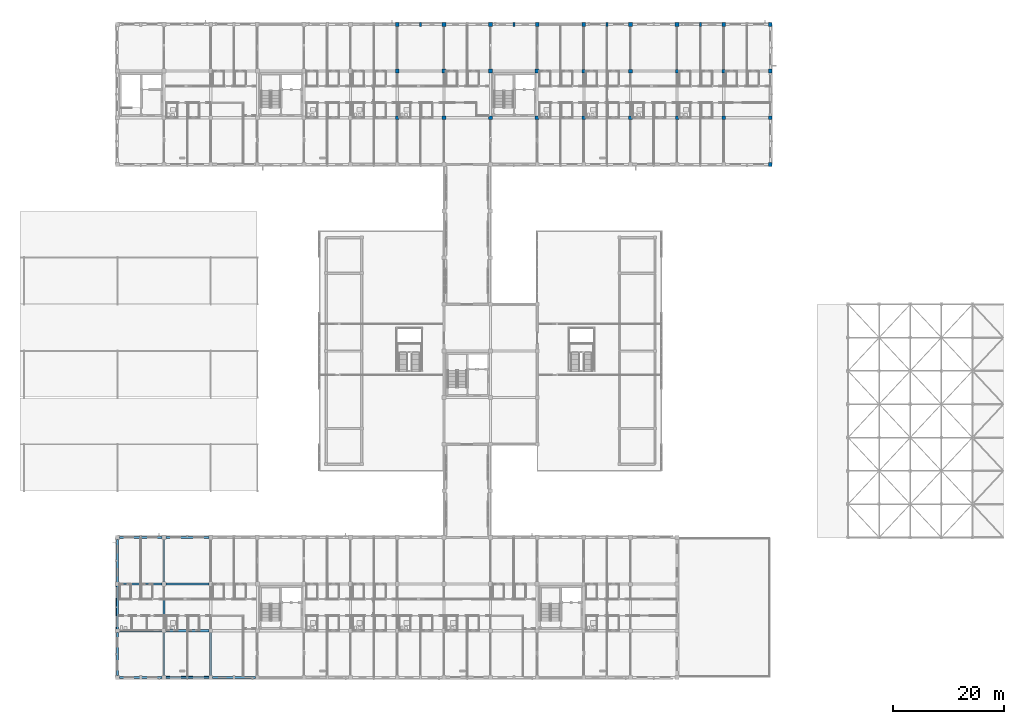
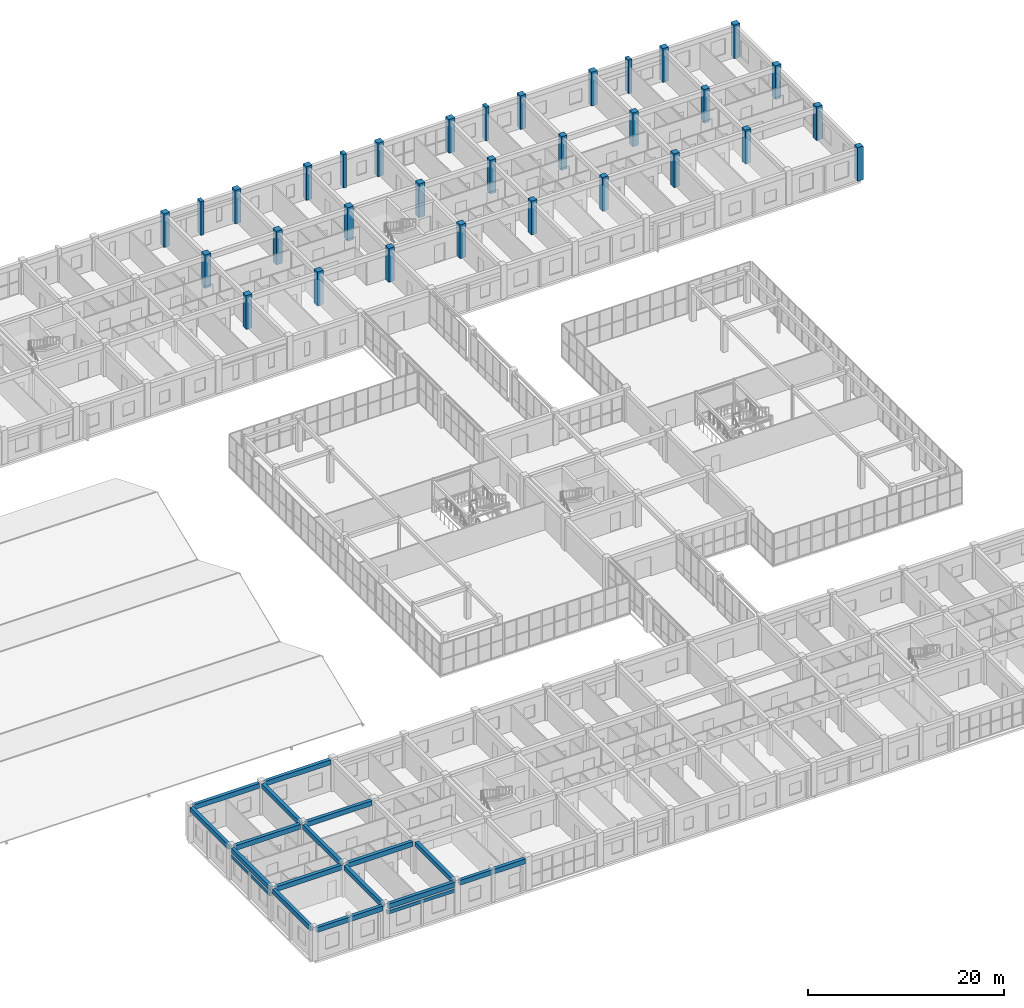
# One storey, part 11 of 140: 32 columns, 18 beams.
"""IFC4 building model written with IfcOpenShell, lengths in metres."""

import ifcopenshell
import ifcopenshell.guid

model = None  # the IFC model being written
_history = None  # IfcOwnerHistory: only IFC2X3 demands one
_inside = {}  # id of a spatial element -> (the spatial element, [elements in it])
_under = {}  # id of a project, library or spatial element -> (it, [spatial elements below it])
_declared = {}  # id of a project -> (the project, [libraries it declares])
_typed = {}  # id of a type object -> (the type object, [elements of that type])
_made_of = {}  # id of a material, layer set ... -> (it, [elements and type objects made of it])


def new_model(schema):
    """Start an empty IFC model of exactly this schema.

    Asked for "IFC4X3", IfcOpenShell would pick the latest addendum, in which some entities
    have other attributes; the version numbers below select the first issue.
    IFC2X3 requires an IfcOwnerHistory on every rooted entity: one is made here for all.
    """
    global model, _history
    if schema == "IFC4X3":
        model = ifcopenshell.file(schema_version=(4, 3, 0, 0))
    else:
        model = ifcopenshell.file(schema=schema)
    _inside.clear()
    _under.clear()
    _declared.clear()
    _typed.clear()
    _made_of.clear()
    _history = None
    if model.schema == "IFC2X3":
        org = make("IfcOrganization", Name="unknown")
        user = make(
            "IfcPersonAndOrganization",
            ThePerson=make("IfcPerson", FamilyName="unknown"),
            TheOrganization=org,
        )
        app = make(
            "IfcApplication",
            ApplicationDeveloper=org,
            Version="unknown",
            ApplicationFullName="unknown",
            ApplicationIdentifier="unknown",
        )
        _history = make(
            "IfcOwnerHistory",
            OwningUser=user,
            OwningApplication=app,
            ChangeAction="ADDED",
            CreationDate=0,
        )
    return model


def make(cls, **values):
    """One entity of the class cls with the attributes given. An attribute that is None is left unset."""
    return model.create_entity(
        cls, **{name: value for name, value in values.items() if value is not None}
    )


def rooted(cls, **values):
    """An entity with a GlobalId (a new one), such as an element, a storey or a relation."""
    return make(cls, GlobalId=ifcopenshell.guid.new(), OwnerHistory=_history, **values)


def si_unit(unit_type, name, prefix=None):
    """IfcSIUnit, for example si_unit("LENGTHUNIT", "METRE", prefix="MILLI")."""
    return make("IfcSIUnit", UnitType=unit_type, Prefix=prefix, Name=name)


def assignment(units):
    """IfcUnitAssignment: the units of a project."""
    return None if units is None else make("IfcUnitAssignment", Units=units)


def point(xyz):
    """IfcCartesianPoint."""
    return None if xyz is None else make("IfcCartesianPoint", Coordinates=xyz)


def direction(xyz):
    """IfcDirection."""
    return None if xyz is None else make("IfcDirection", DirectionRatios=xyz)


def frame(location, z_axis=None, x_axis=None):
    """IfcAxis2Placement3D, a coordinate frame: its origin and axes. An axis left out is left unset."""
    return make(
        "IfcAxis2Placement3D",
        Location=point(location),
        Axis=direction(z_axis),
        RefDirection=direction(x_axis),
    )


def frame_2d(location, x_axis=None):
    """IfcAxis2Placement2D, a coordinate frame in the plane: its origin and x axis."""
    return make(
        "IfcAxis2Placement2D", Location=point(location), RefDirection=direction(x_axis)
    )


def origin():
    """The frame at (0, 0, 0) with its axes left unset."""
    return frame((0.0, 0.0, 0.0))


def origin_2d():
    """The frame at (0, 0) in the plane with its x axis left unset."""
    return frame_2d((0.0, 0.0))


def place(relative_to, where):
    """IfcLocalPlacement: puts the frame where relative to a parent placement (None: the world)."""
    return make(
        "IfcLocalPlacement", PlacementRelTo=relative_to, RelativePlacement=where
    )


def context(
    kind, dimensions, precision=None, world=None, true_north=None, identifier=None
):
    """IfcGeometricRepresentationContext, for example the 3D "Model" context."""
    return make(
        "IfcGeometricRepresentationContext",
        ContextIdentifier=identifier,
        ContextType=kind,
        CoordinateSpaceDimension=dimensions,
        Precision=precision,
        WorldCoordinateSystem=world,
        TrueNorth=true_north,
    )


def subcontext(parent, identifier, kind, view, scale=None):
    """IfcGeometricRepresentationSubContext, for example "Body" below "Model"."""
    return make(
        "IfcGeometricRepresentationSubContext",
        ContextIdentifier=identifier,
        ContextType=kind,
        ParentContext=parent,
        TargetScale=scale,
        TargetView=view,
    )


def project(units=None, contexts=None):
    """IfcProject with its units and contexts."""
    return rooted(
        "IfcProject",
        Name="project",
        RepresentationContexts=contexts,
        UnitsInContext=assignment(units),
    )


def spatial(cls, under=None, at=None, **own):
    """A site, building, storey or space (cls), placed at a placement, below another one or the project."""
    s = rooted(cls, ObjectPlacement=at, **own)
    if under is not None:
        _under.setdefault(under.id(), (under, []))[1].append(s)
    return s


def profile(cls, at=None, kind="AREA", **sizes):
    """A parametric profile (cls). Its sizes go by their IFC names, for example OverallWidth=200.0."""
    return make(cls, ProfileType=kind, Position=at, **sizes)


def rectangle(**sizes):
    """IfcRectangleProfileDef."""
    return profile("IfcRectangleProfileDef", **sizes)


def extrude(swept, where, along, depth):
    """IfcExtrudedAreaSolid: the profile swept, set in the frame where, extruded along a direction by depth."""
    return make(
        "IfcExtrudedAreaSolid",
        SweptArea=swept,
        Position=where,
        ExtrudedDirection=direction(along),
        Depth=depth,
    )


def shape(context_of_items, identifier, shape_type, items):
    """IfcShapeRepresentation: the items that make up one representation, for example the "Body"."""
    return make(
        "IfcShapeRepresentation",
        ContextOfItems=context_of_items,
        RepresentationIdentifier=identifier,
        RepresentationType=shape_type,
        Items=items,
    )


def material(Name=None, Category=None):
    """IfcMaterial."""
    return make("IfcMaterial", Name=Name, Category=Category)


def material_profile(
    of_material, cross_section, Name=None, Category=None, Priority=None
):
    """IfcMaterialProfile: a cross section and its material."""
    return make(
        "IfcMaterialProfile",
        Name=Name,
        Material=of_material,
        Profile=cross_section,
        Priority=Priority,
        Category=Category,
    )


def profile_set(profiles, Name=None, composite=None):
    """IfcMaterialProfileSet."""
    return make(
        "IfcMaterialProfileSet",
        Name=Name,
        MaterialProfiles=profiles,
        CompositeProfile=composite,
    )


def made_of(thing, what):
    """Note that an element or type object is made of a material, layer set ...; save() writes the relation."""
    if what is not None:
        _made_of.setdefault(what.id(), (what, []))[1].append(thing)
    return thing


def type_object(cls, material=None, **own):
    """A type object (cls), such as IfcWallType, which elements share."""
    return made_of(rooted(cls, **own), material)


def element(
    cls,
    number,
    at=None,
    inside=None,
    cuts=None,
    type_object=None,
    material=None,
    context=None,
    identifier="Body",
    shape_type=None,
    held_by="IfcProductDefinitionShape",
    body=None,
    shapes=None,
    **own,
):
    """One element of the class cls, such as IfcWall. Its Tag is "e" and its number.

    at: its placement. inside: the storey or other place that contains it. cuts: it is an
    opening in that element (IfcRelVoidsElement). A single representation is given by context,
    identifier, shape_type and body (its items); several are given by shapes. held_by: the class
    of the entity that holds the representations. save() writes the other relations.
    """
    e = rooted(cls, Tag="e%d" % number, ObjectPlacement=at, **own)
    if body is not None:
        shapes = [shape(context, identifier, shape_type, body)]
    if shapes is not None:
        e.Representation = make(held_by, Representations=shapes)
    if inside is not None:
        _inside.setdefault(inside.id(), (inside, []))[1].append(e)
    if cuts is not None:
        rooted(
            "IfcRelVoidsElement", RelatingBuildingElement=cuts, RelatedOpeningElement=e
        )
    if type_object is not None:
        _typed.setdefault(type_object.id(), (type_object, []))[1].append(e)
    return made_of(e, material)


def aggregate(whole, parts):
    """IfcRelAggregates: a whole, such as a stair, and the parts it consists of."""
    return rooted("IfcRelAggregates", RelatingObject=whole, RelatedObjects=parts)


def save(model, path):
    """Write the relations noted so far, then the file.

    IfcRelAggregates (storeys below a building ...), IfcRelContainedInSpatialStructure (elements
    in a storey), IfcRelDefinesByType, IfcRelAssociatesMaterial and IfcRelDeclares: one each for
    every whole, place, type object, material and project.
    """
    for whole, parts in _under.values():
        aggregate(whole, parts)
    for where, things in _inside.values():
        rooted(
            "IfcRelContainedInSpatialStructure",
            RelatedElements=things,
            RelatingStructure=where,
        )
    for kind, things in _typed.values():
        rooted("IfcRelDefinesByType", RelatedObjects=things, RelatingType=kind)
    for what, things in _made_of.values():
        rooted("IfcRelAssociatesMaterial", RelatedObjects=things, RelatingMaterial=what)
    for by, libraries in _declared.values():
        rooted("IfcRelDeclares", RelatingContext=by, RelatedDefinitions=libraries)
    model.write(path)


model = new_model("IFC4")

# Units and contexts
model_context = context("Model", 3, precision=1e-05, world=origin(), true_north=direction((0.0, 1.0)))
body_context = subcontext(model_context, "Body", "Model", "MODEL_VIEW")
ifc_project = project(units=[si_unit("LENGTHUNIT", "METRE"), si_unit("AREAUNIT", "SQUARE_METRE"), si_unit("VOLUMEUNIT", "CUBIC_METRE"), si_unit("PLANEANGLEUNIT", "RADIAN"), si_unit("MASSUNIT", "GRAM", prefix="KILO")], contexts=[model_context])

# Site, building, storey
site_placement = place(None, origin())
site = spatial("IfcSite", under=ifc_project, at=site_placement, CompositionType="ELEMENT")
building_placement = place(site_placement, origin())
building = spatial("IfcBuilding", under=site, at=building_placement, Name="Trelvath General Hospital", CompositionType="ELEMENT")
storey_placement = place(building_placement, frame((0.0, 0.0, 16.199951171875)))
storey = spatial("IfcBuildingStorey", under=building, at=storey_placement, Name="L04", CompositionType="ELEMENT", Elevation=16.199951171875)

# Columns
ifc_material_1 = material(Name="Concrete C40/50", Category="concrete")
ifc_material_profile_1 = material_profile(ifc_material_1, rectangle(XDim=0.659912109375, YDim=0.659912109375, at=origin_2d()), Name="RC660x660")
ifc_profile_set_1 = profile_set([ifc_material_profile_1], Name="Concrete C40/50")
column_type_1 = type_object("IfcColumnType", Name="Column RC660", PredefinedType="COLUMN", material=ifc_profile_set_1)
for number, where, z_axis, x_axis, name in (
    (1, (100.800048828125, 100.800048828125, 0.0), (0.0, 0.0, 1.0), (1.0, 0.0, 0.0), "Column C-13M L04"),
    (2, (100.800048828125, 109.199951171875, 0.0), (0.0, 0.0, 1.0), (1.0, 0.0, 0.0), "Column C-13N L04"),
    (3, (109.199951171875, 100.800048828125, 0.0), (0.0, 0.0, 1.0), (1.0, 0.0, 0.0), "Column C-14M L04"),
    (4, (109.199951171875, 109.199951171875, 0.0), (0.0, 0.0, 1.0), (1.0, 0.0, 0.0), "Column C-14N L04"),
    (5, (117.60009765625, 100.800048828125, 0.0), (0.0, 0.0, 1.0), (1.0, 0.0, 0.0), "Column C-15M L04"),
    (6, (117.60009765625, 109.199951171875, 0.0), (0.0, 0.0, 1.0), (1.0, 0.0, 0.0), "Column C-15N L04"),
    (7, (126.0, 100.800048828125, 0.0), (0.0, 0.0, 1.0), (1.0, 0.0, 0.0), "Column C-16M L04"),
    (8, (126.0, 109.199951171875, 0.0), (0.0, 0.0, 1.0), (1.0, 0.0, 0.0), "Column C-16N L04"),
):
    element("IfcColumn", number, at=place(storey_placement, frame(where, z_axis=z_axis, x_axis=x_axis)), inside=storey, type_object=column_type_1, Name=name, PredefinedType="COLUMN", context=body_context, shape_type="SweptSolid", body=[
        extrude(rectangle(XDim=0.659912109375, YDim=0.659912109375, at=origin_2d()), origin(), (0.0, 0.0, 1.0), 4.199951171875),
    ])
ifc_material_2 = material(Name="Concrete C40/50", Category="concrete")
ifc_material_profile_2 = material_profile(ifc_material_2, rectangle(XDim=0.679931640625, YDim=0.679931640625, at=origin_2d()), Name="RC680x680")
ifc_profile_set_2 = profile_set([ifc_material_profile_2], Name="Concrete C40/50")
column_type_2 = type_object("IfcColumnType", Name="Column RC680", PredefinedType="COLUMN", material=ifc_profile_set_2)
for number, where, z_axis, x_axis, name in (
    (9, (67.199951171875, 117.60009765625, 0.0), (0.0, 0.0, 1.0), (1.0, 0.0, 0.0), "Column C-9O L04"),
    (10, (75.60009765625, 117.60009765625, 0.0), (0.0, 0.0, 1.0), (1.0, 0.0, 0.0), "Column C-10O L04"),
    (11, (84.0, 117.60009765625, 0.0), (0.0, 0.0, 1.0), (1.0, 0.0, 0.0), "Column C-11O L04"),
    (12, (92.39990234375, 117.60009765625, 0.0), (0.0, 0.0, 1.0), (1.0, 0.0, 0.0), "Column C-12O L04"),
    (13, (100.800048828125, 117.60009765625, 0.0), (0.0, 0.0, 1.0), (1.0, 0.0, 0.0), "Column C-13O L04"),
    (14, (109.199951171875, 117.60009765625, 0.0), (0.0, 0.0, 1.0), (1.0, 0.0, 0.0), "Column C-14O L04"),
    (15, (117.60009765625, 117.60009765625, 0.0), (0.0, 0.0, 1.0), (1.0, 0.0, 0.0), "Column C-15O L04"),
    (16, (126.0, 117.60009765625, 0.0), (0.0, 0.0, 1.0), (1.0, 0.0, 0.0), "Column C-16O L04"),
    (17, (134.39990234375, 92.39990234375, 0.0), (0.0, 0.0, 1.0), (1.0, 0.0, 0.0), "Column C-17L L04"),
    (18, (134.39990234375, 100.800048828125, 0.0), (0.0, 0.0, 1.0), (1.0, 0.0, 0.0), "Column C-17M L04"),
    (19, (134.39990234375, 109.199951171875, 0.0), (0.0, 0.0, 1.0), (1.0, 0.0, 0.0), "Column C-17N L04"),
    (20, (134.39990234375, 117.60009765625, 0.0), (0.0, 0.0, 1.0), (1.0, 0.0, 0.0), "Column C-17O L04"),
):
    element("IfcColumn", number, at=place(storey_placement, frame(where, z_axis=z_axis, x_axis=x_axis)), inside=storey, type_object=column_type_2, Name=name, PredefinedType="COLUMN", context=body_context, shape_type="SweptSolid", body=[
        extrude(rectangle(XDim=0.679931640625, YDim=0.679931640625, at=origin_2d()), origin(), (0.0, 0.0, 1.0), 4.199951171875),
    ])
ifc_material_3 = material(Name="Concrete C40/50", Category="concrete")
ifc_material_profile_3 = material_profile(ifc_material_3, rectangle(XDim=0.699951171875, YDim=0.699951171875, at=origin_2d()), Name="RC700x700")
ifc_profile_set_3 = profile_set([ifc_material_profile_3], Name="Concrete C40/50")
column_type_3 = type_object("IfcColumnType", Name="Column RC700", PredefinedType="COLUMN", material=ifc_profile_set_3)
for number, where, z_axis, x_axis, name in (
    (21, (67.199951171875, 100.800048828125, 0.0), (0.0, 0.0, 1.0), (1.0, 0.0, 0.0), "Column C-9M L04"),
    (22, (67.199951171875, 109.199951171875, 0.0), (0.0, 0.0, 1.0), (1.0, 0.0, 0.0), "Column C-9N L04"),
    (23, (75.60009765625, 100.800048828125, 0.0), (0.0, 0.0, 1.0), (1.0, 0.0, 0.0), "Column C-10M L04"),
    (24, (75.60009765625, 109.199951171875, 0.0), (0.0, 0.0, 1.0), (1.0, 0.0, 0.0), "Column C-10N L04"),
    (25, (84.0, 100.800048828125, 0.0), (0.0, 0.0, 1.0), (1.0, 0.0, 0.0), "Column C-11M L04"),
    (26, (84.0, 109.199951171875, 0.0), (0.0, 0.0, 1.0), (1.0, 0.0, 0.0), "Column C-11N L04"),
    (27, (92.39990234375, 100.800048828125, 0.0), (0.0, 0.0, 1.0), (1.0, 0.0, 0.0), "Column C-12M L04"),
    (28, (92.39990234375, 109.199951171875, 0.0), (0.0, 0.0, 1.0), (1.0, 0.0, 0.0), "Column C-12N L04"),
):
    element("IfcColumn", number, at=place(storey_placement, frame(where, z_axis=z_axis, x_axis=x_axis)), inside=storey, type_object=column_type_3, Name=name, PredefinedType="COLUMN", context=body_context, shape_type="SweptSolid", body=[
        extrude(rectangle(XDim=0.699951171875, YDim=0.699951171875, at=origin_2d()), origin(), (0.0, 0.0, 1.0), 4.199951171875),
    ])
ifc_material_4 = material(Name="Concrete C40/50", Category="concrete")
ifc_material_profile_4 = material_profile(ifc_material_4, rectangle(XDim=0.3798828125, YDim=0.679931640625, at=origin_2d()), Name="RC380x680")
ifc_profile_set_4 = profile_set([ifc_material_profile_4], Name="Concrete C40/50")
column_type_4 = type_object("IfcColumnType", Name="Pilaster RC380x680", PredefinedType="PILASTER", material=ifc_profile_set_4)
for number, where, z_axis, x_axis, name in (
    (29, (71.39990234375, 117.60009765625, 0.0), (0.0, 0.0, 1.0), (1.0, 0.0, 0.0), "Facade Pilaster PL-N08 L04"),
    (30, (88.199951171875, 117.60009765625, 0.0), (0.0, 0.0, 1.0), (1.0, 0.0, 0.0), "Facade Pilaster PL-N10 L04"),
    (31, (105.0, 117.60009765625, 0.0), (0.0, 0.0, 1.0), (1.0, 0.0, 0.0), "Facade Pilaster PL-N12 L04"),
    (32, (121.800048828125, 117.60009765625, 0.0), (0.0, 0.0, 1.0), (1.0, 0.0, 0.0), "Facade Pilaster PL-N14 L04"),
):
    element("IfcColumn", number, at=place(storey_placement, frame(where, z_axis=z_axis, x_axis=x_axis)), inside=storey, type_object=column_type_4, Name=name, PredefinedType="PILASTER", context=body_context, shape_type="SweptSolid", body=[
        extrude(rectangle(XDim=0.3798828125, YDim=0.679931640625, at=origin_2d()), origin(), (0.0, 0.0, 1.0), 4.199951171875),
    ])

# Beams
ifc_material_5 = material(Name="Concrete C35/45", Category="concrete")
ifc_material_profile_5 = material_profile(ifc_material_5, rectangle(XDim=0.3798828125, YDim=0.580078125, at=origin_2d()), Name="RCB380x580")
ifc_profile_set_5 = profile_set([ifc_material_profile_5], Name="Concrete C35/45")
beam_type_1 = type_object("IfcBeamType", Name="Beam RC380x580", PredefinedType="BEAM", material=ifc_profile_set_5)
for number, where, z_axis, x_axis, name in (
    (33, (16.800048828125, 0.3349609375, 3.630126953125), (0.0, 1.0, 0.0), (-1.0, 0.0, 0.0), "Grid Beam BY-402A"),
    (34, (16.800048828125, 8.735107421875, 3.630126953125), (0.0, 1.0, 0.0), (-1.0, 0.0, 0.0), "Grid Beam BY-402B"),
    (35, (16.800048828125, 17.135009765625, 3.630126953125), (0.0, 1.0, 0.0), (-1.0, 0.0, 0.0), "Grid Beam BY-402C"),
):
    element("IfcBeam", number, at=place(storey_placement, frame(where, z_axis=z_axis, x_axis=x_axis)), inside=storey, type_object=beam_type_1, Name=name, PredefinedType="BEAM", context=body_context, shape_type="SweptSolid", body=[
        extrude(rectangle(XDim=0.3798828125, YDim=0.580078125, at=origin_2d()), origin(), (0.0, 0.0, 1.0), 7.72998046875),
    ])
beam_1_placement = place(storey_placement, frame((25.199951171875, 0.3349609375, 3.630126953125), z_axis=(0.0, 1.0, 0.0), x_axis=(-1.0, 0.0, 0.0)))
element("IfcBeam", 36, at=beam_1_placement, inside=storey, type_object=beam_type_1, Name="Grid Beam BY-403A", PredefinedType="BEAM", context=body_context, shape_type="SweptSolid", body=[
    extrude(rectangle(XDim=0.3798828125, YDim=0.580078125, at=origin_2d()), origin(), (0.0, 0.0, 1.0), 7.719970703125),
])
beam_2_placement = place(storey_placement, frame((25.199951171875, 8.7451171875, 3.630126953125), z_axis=(0.0, 1.0, 0.0), x_axis=(-1.0, 0.0, 0.0)))
element("IfcBeam", 37, at=beam_2_placement, inside=storey, type_object=beam_type_1, Name="Grid Beam BY-403B", PredefinedType="BEAM", context=body_context, shape_type="SweptSolid", body=[
    extrude(rectangle(XDim=0.3798828125, YDim=0.580078125, at=origin_2d()), origin(), (0.0, 0.0, 1.0), 7.7099609375),
])
for number, where, z_axis, x_axis, name in (
    (38, (25.199951171875, 17.14501953125, 3.630126953125), (0.0, 1.0, 0.0), (-1.0, 0.0, 0.0), "Grid Beam BY-403C"),
    (39, (33.60009765625, 0.3349609375, 3.630126953125), (0.0, 1.0, 0.0), (-1.0, 0.0, 0.0), "Grid Beam BY-404A"),
):
    element("IfcBeam", number, at=place(storey_placement, frame(where, z_axis=z_axis, x_axis=x_axis)), inside=storey, type_object=beam_type_1, Name=name, PredefinedType="BEAM", context=body_context, shape_type="SweptSolid", body=[
        extrude(rectangle(XDim=0.3798828125, YDim=0.580078125, at=origin_2d()), origin(), (0.0, 0.0, 1.0), 7.719970703125),
    ])
ifc_material_6 = material(Name="Concrete C35/45", Category="concrete")
ifc_material_profile_6 = material_profile(ifc_material_6, rectangle(XDim=0.39990234375, YDim=0.60009765625, at=origin_2d()), Name="RCB400x600")
ifc_profile_set_6 = profile_set([ifc_material_profile_6], Name="Concrete C35/45")
beam_type_2 = type_object("IfcBeamType", Name="Beam RC400x600", PredefinedType="BEAM", material=ifc_profile_set_6)
beam_3_placement = place(storey_placement, frame((17.135009765625, 0.0, 3.6201171875), z_axis=(1.0, 0.0, 0.0), x_axis=(0.0, 1.0, 0.0)))
element("IfcBeam", 40, at=beam_3_placement, inside=storey, type_object=beam_type_2, Name="Grid Beam BX-402A", PredefinedType="BEAM", context=body_context, shape_type="SweptSolid", body=[
    extrude(rectangle(XDim=0.39990234375, YDim=0.60009765625, at=origin_2d()), origin(), (0.0, 0.0, 1.0), 7.72998046875),
])
for number, where, z_axis, x_axis, name in (
    (41, (17.135009765625, 8.39990234375, 3.6201171875), (1.0, 0.0, 0.0), (0.0, 1.0, 0.0), "Grid Beam BX-402B"),
    (42, (17.135009765625, 16.800048828125, 3.6201171875), (1.0, 0.0, 0.0), (0.0, 1.0, 0.0), "Grid Beam BX-402C"),
):
    element("IfcBeam", number, at=place(storey_placement, frame(where, z_axis=z_axis, x_axis=x_axis)), inside=storey, type_object=beam_type_2, Name=name, PredefinedType="BEAM", context=body_context, shape_type="SweptSolid", body=[
        extrude(rectangle(XDim=0.39990234375, YDim=0.60009765625, at=origin_2d()), origin(), (0.0, 0.0, 1.0), 7.719970703125),
    ])
for number, where, z_axis, x_axis, name in (
    (43, (17.135009765625, 25.199951171875, 3.6201171875), (1.0, 0.0, 0.0), (0.0, 1.0, 0.0), "Grid Beam BX-402D"),
    (44, (25.534912109375, 0.0, 3.6201171875), (1.0, 0.0, 0.0), (0.0, 1.0, 0.0), "Grid Beam BX-403A"),
):
    element("IfcBeam", number, at=place(storey_placement, frame(where, z_axis=z_axis, x_axis=x_axis)), inside=storey, type_object=beam_type_2, Name=name, PredefinedType="BEAM", context=body_context, shape_type="SweptSolid", body=[
        extrude(rectangle(XDim=0.39990234375, YDim=0.60009765625, at=origin_2d()), origin(), (0.0, 0.0, 1.0), 7.72998046875),
    ])
for number, where, z_axis, x_axis, name in (
    (45, (25.544921875, 8.39990234375, 3.6201171875), (1.0, 0.0, 0.0), (0.0, 1.0, 0.0), "Grid Beam BX-403B"),
    (46, (25.544921875, 16.800048828125, 3.6201171875), (1.0, 0.0, 0.0), (0.0, 1.0, 0.0), "Grid Beam BX-403C"),
):
    element("IfcBeam", number, at=place(storey_placement, frame(where, z_axis=z_axis, x_axis=x_axis)), inside=storey, type_object=beam_type_2, Name=name, PredefinedType="BEAM", context=body_context, shape_type="SweptSolid", body=[
        extrude(rectangle(XDim=0.39990234375, YDim=0.60009765625, at=origin_2d()), origin(), (0.0, 0.0, 1.0), 7.7099609375),
    ])
for number, where, z_axis, x_axis, name in (
    (47, (25.534912109375, 25.199951171875, 3.6201171875), (1.0, 0.0, 0.0), (0.0, 1.0, 0.0), "Grid Beam BX-403D"),
    (48, (33.93505859375, 0.0, 3.6201171875), (1.0, 0.0, 0.0), (0.0, 1.0, 0.0), "Grid Beam BX-404A"),
):
    element("IfcBeam", number, at=place(storey_placement, frame(where, z_axis=z_axis, x_axis=x_axis)), inside=storey, type_object=beam_type_2, Name=name, PredefinedType="BEAM", context=body_context, shape_type="SweptSolid", body=[
        extrude(rectangle(XDim=0.39990234375, YDim=0.60009765625, at=origin_2d()), origin(), (0.0, 0.0, 1.0), 7.72998046875),
    ])
ifc_material_7 = material(Name="Precast concrete C40/50", Category="concrete")
ifc_material_profile_7 = material_profile(ifc_material_7, rectangle(XDim=0.35009765625, YDim=0.419921875, at=origin_2d()), Name="PCL350x420")
ifc_profile_set_7 = profile_set([ifc_material_profile_7], Name="Precast concrete C40/50")
beam_type_3 = type_object("IfcBeamType", Name="Lintel PC350x420", PredefinedType="LINTEL", material=ifc_profile_set_7)
for number, where, z_axis, x_axis, name in (
    (49, (16.800048828125, 8.655029296875, 2.8701171875), (0.0, 1.0, 0.0), (-1.0, 0.0, 0.0), "Precast Window Brow Lintel L04-422"),
    (50, (33.344970703125, 0.0, 2.8701171875), (-1.0, 0.0, 0.0), (0.0, -1.0, 0.0), "Precast Window Brow Lintel L04-430"),
):
    element("IfcBeam", number, at=place(storey_placement, frame(where, z_axis=z_axis, x_axis=x_axis)), inside=storey, type_object=beam_type_3, Name=name, PredefinedType="LINTEL", context=body_context, shape_type="SweptSolid", body=[
        extrude(rectangle(XDim=0.35009765625, YDim=0.419921875, at=origin_2d()), origin(), (0.0, 0.0, 1.0), 7.889892578125),
    ])

save(model, "model.ifc")
